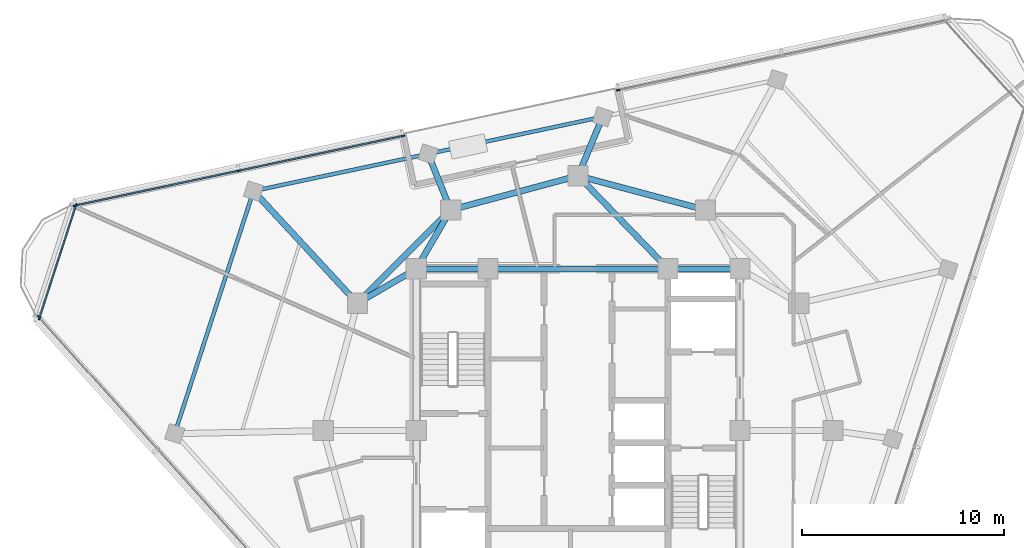
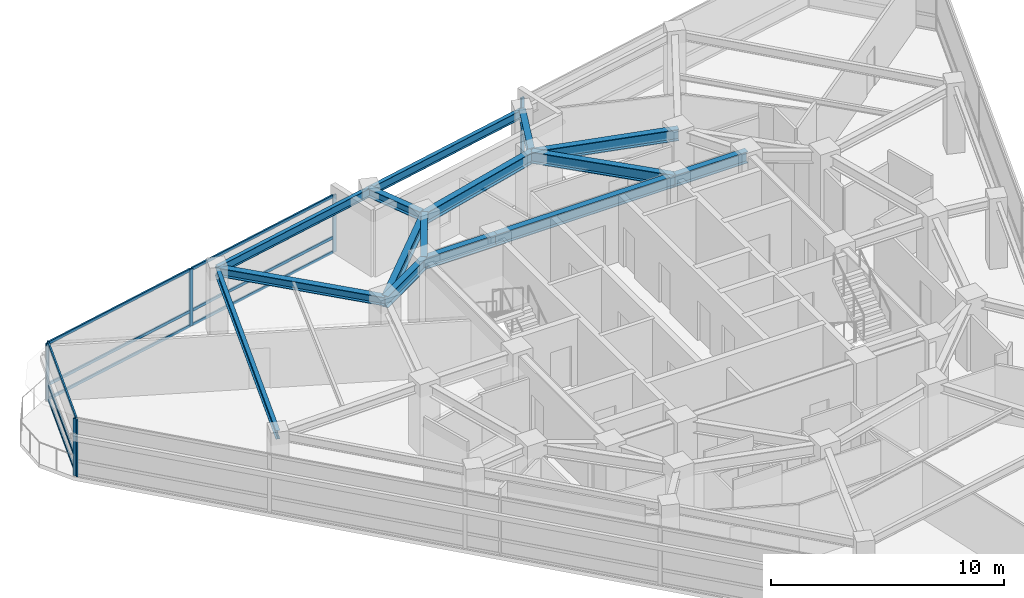
# One storey, part 5 of 15: 16 members, 15 beams, 4 elements without a shape of their own.
"""IFC4 building model written with IfcOpenShell, lengths in metres."""

from ifc_helpers import new_model, si_unit, direction, frame, origin, origin_2d, place, context, subcontext, project, spatial, rectangle, i_section, extrude, material, layer, layer_set, material_profile, profile_set, type_object, element, aggregate, save


model = new_model("IFC4")

# Units and contexts
model_context = context("Model", 3, precision=1e-05, world=origin(), true_north=direction((0.0, 1.0)))
body_context = subcontext(model_context, "Body", "Model", "MODEL_VIEW")
ifc_project = project(units=[si_unit("LENGTHUNIT", "METRE"), si_unit("AREAUNIT", "SQUARE_METRE"), si_unit("VOLUMEUNIT", "CUBIC_METRE"), si_unit("PLANEANGLEUNIT", "RADIAN"), si_unit("MASSUNIT", "GRAM", prefix="KILO")], contexts=[model_context])

# Site, building, storey
site_placement = place(None, origin())
site = spatial("IfcSite", under=ifc_project, at=site_placement, CompositionType="ELEMENT")
building_placement = place(site_placement, origin())
building = spatial("IfcBuilding", under=site, at=building_placement, Name="Terralouvre Media Tower", CompositionType="ELEMENT")
storey_placement = place(building_placement, frame((0.0, 0.0, 290.60009765625)))
storey = spatial("IfcBuildingStorey", under=building, at=storey_placement, Name="L75", CompositionType="ELEMENT", Elevation=290.60009765625)

# Curtain wall, members
ifc_material_1 = material(Name="Low-iron laminated double glazing with solar-control coating", Category="glass")
ifc_layer_1 = layer(ifc_material_1, 0.1650390625, Name="Faceted Glass-Point Crown Curtain Wall CW-06")
ifc_layer_set_1 = layer_set([ifc_layer_1], Name="Low-iron laminated double glazing with solar-control coating")
curtain_wall_type_1 = type_object("IfcCurtainWallType", Name="Faceted Glass-Point Crown Curtain Wall CW-06", PredefinedType="NOTDEFINED", material=ifc_layer_set_1)
curtain_wall_1_placement = place(storey_placement, origin())
curtain_wall_1 = element("IfcCurtainWall", 1, at=curtain_wall_1_placement, inside=storey, type_object=curtain_wall_type_1, Name="L75 Right Flank Curtain Wall F1", PredefinedType="NOTDEFINED")
ifc_material_2 = material(Name="Anodised extruded aluminium 6063-T6", Category="aluminium")
ifc_material_profile_1 = material_profile(ifc_material_2, rectangle(XDim=0.074951171875, YDim=0.14990234375, at=origin_2d()), Name="ALU 75x150")
ifc_profile_set_1 = profile_set([ifc_material_profile_1], Name="Anodised extruded aluminium 6063-T6")
member_type_1 = type_object("IfcMemberType", Name="Curtain-Wall Horizontal Transom TR-150", PredefinedType="USERDEFINED", material=ifc_profile_set_1)
member_1_placement = place(storey_placement, frame((-8.693603515625, 14.567138671875, 0.037353515625), z_axis=(-0.978148883033, -0.207905657984, 0.0), x_axis=(0.207905657984, -0.978148883033, 0.0)))
member_1 = element("IfcMember", 2, at=member_1_placement, type_object=member_type_1, Name="CW-06 transom 1.1", ObjectType="TRANSOM", PredefinedType="USERDEFINED", context=body_context, shape_type="SweptSolid", body=[
    extrude(rectangle(XDim=0.074951171875, YDim=0.14990234375, at=origin_2d()), origin(), (0.0, 0.0, 1.0), 8.217529296875),
])
member_2_placement = place(storey_placement, frame((-8.693603515625, 14.567138671875, 0.7998046875), z_axis=(-0.978148883033, -0.207905657984, 0.0), x_axis=(0.207905657984, -0.978148883033, 0.0)))
member_2 = element("IfcMember", 3, at=member_2_placement, type_object=member_type_1, Name="CW-06 transom 1.2", ObjectType="TRANSOM", PredefinedType="USERDEFINED", context=body_context, shape_type="SweptSolid", body=[
    extrude(rectangle(XDim=0.074951171875, YDim=0.14990234375, at=origin_2d()), origin(), (0.0, 0.0, 1.0), 8.217529296875),
])
member_3_placement = place(storey_placement, frame((-8.693603515625, 14.567138671875, 2.96240234375), z_axis=(-0.978148883033, -0.207905657984, 0.0), x_axis=(0.207905657984, -0.978148883033, 0.0)))
member_3 = element("IfcMember", 4, at=member_3_placement, type_object=member_type_1, Name="CW-06 transom 1.3", ObjectType="TRANSOM", PredefinedType="USERDEFINED", context=body_context, shape_type="SweptSolid", body=[
    extrude(rectangle(XDim=0.074951171875, YDim=0.14990234375, at=origin_2d()), origin(), (0.0, 0.0, 1.0), 8.217529296875),
])
member_4_placement = place(storey_placement, frame((-16.804931640625, 12.843017578125, 0.037353515625), z_axis=(-0.978147598799, -0.207911699918, 0.0), x_axis=(0.207911699918, -0.978147598799, 0.0)))
member_4 = element("IfcMember", 5, at=member_4_placement, type_object=member_type_1, Name="CW-06 transom 2.1", ObjectType="TRANSOM", PredefinedType="USERDEFINED", context=body_context, shape_type="SweptSolid", body=[
    extrude(rectangle(XDim=0.074951171875, YDim=0.14990234375, at=origin_2d()), origin(), (0.0, 0.0, 1.0), 8.217529296875),
])
member_5_placement = place(storey_placement, frame((-16.804931640625, 12.843017578125, 0.7998046875), z_axis=(-0.978147598799, -0.207911699918, 0.0), x_axis=(0.207911699918, -0.978147598799, 0.0)))
member_5 = element("IfcMember", 6, at=member_5_placement, type_object=member_type_1, Name="CW-06 transom 2.2", ObjectType="TRANSOM", PredefinedType="USERDEFINED", context=body_context, shape_type="SweptSolid", body=[
    extrude(rectangle(XDim=0.074951171875, YDim=0.14990234375, at=origin_2d()), origin(), (0.0, 0.0, 1.0), 8.217529296875),
])
member_6_placement = place(storey_placement, frame((-16.804931640625, 12.843017578125, 2.96240234375), z_axis=(-0.978147598799, -0.207911699918, 0.0), x_axis=(0.207911699918, -0.978147598799, 0.0)))
member_6 = element("IfcMember", 7, at=member_6_placement, type_object=member_type_1, Name="CW-06 transom 2.3", ObjectType="TRANSOM", PredefinedType="USERDEFINED", context=body_context, shape_type="SweptSolid", body=[
    extrude(rectangle(XDim=0.074951171875, YDim=0.14990234375, at=origin_2d()), origin(), (0.0, 0.0, 1.0), 8.217529296875),
])

ifc_material_3 = material(Name="Low-iron laminated double glazing with solar-control coating", Category="glass")
ifc_layer_2 = layer(ifc_material_3, 0.1650390625, Name="Rounded Wind-Corner Curved Glazing CW-04")
ifc_layer_set_2 = layer_set([ifc_layer_2], Name="Low-iron laminated double glazing with solar-control coating")
curtain_wall_type_2 = type_object("IfcCurtainWallType", Name="Rounded Wind-Corner Curved Glazing CW-04", PredefinedType="NOTDEFINED", material=ifc_layer_set_2)
curtain_wall_2_placement = place(storey_placement, origin())
curtain_wall_2 = element("IfcCurtainWall", 8, at=curtain_wall_2_placement, inside=storey, type_object=curtain_wall_type_2, Name="L75 Rounded Wind-Corner Curtain Wall C2", PredefinedType="NOTDEFINED")
member_7_placement = place(storey_placement, frame((-24.831298828125, 11.121826171875, 0.037353515625), z_axis=(-0.308980573489, -0.951068349387, 0.0), x_axis=(0.951068349387, -0.308980573489, 0.0)))
member_7 = element("IfcMember", 9, at=member_7_placement, type_object=member_type_1, Name="CW-04 transom 1.1", ObjectType="TRANSOM", PredefinedType="USERDEFINED", context=body_context, shape_type="SweptSolid", body=[
    extrude(rectangle(XDim=0.074951171875, YDim=0.14990234375, at=origin_2d()), origin(), (0.0, 0.0, 1.0), 5.808349609375),
])
member_8_placement = place(storey_placement, frame((-24.831298828125, 11.121826171875, 0.7998046875), z_axis=(-0.308980573489, -0.951068349387, 0.0), x_axis=(0.951068349387, -0.308980573489, 0.0)))
member_8 = element("IfcMember", 10, at=member_8_placement, type_object=member_type_1, Name="CW-04 transom 1.2", ObjectType="TRANSOM", PredefinedType="USERDEFINED", context=body_context, shape_type="SweptSolid", body=[
    extrude(rectangle(XDim=0.074951171875, YDim=0.14990234375, at=origin_2d()), origin(), (0.0, 0.0, 1.0), 5.808349609375),
])
member_9_placement = place(storey_placement, frame((-24.831298828125, 11.121826171875, 2.96240234375), z_axis=(-0.308980573489, -0.951068349387, 0.0), x_axis=(0.951068349387, -0.308980573489, 0.0)))
member_9 = element("IfcMember", 11, at=member_9_placement, type_object=member_type_1, Name="CW-04 transom 1.3", ObjectType="TRANSOM", PredefinedType="USERDEFINED", context=body_context, shape_type="SweptSolid", body=[
    extrude(rectangle(XDim=0.074951171875, YDim=0.14990234375, at=origin_2d()), origin(), (0.0, 0.0, 1.0), 5.808349609375),
])

# Curtain wall, member
curtain_wall_3_placement = place(storey_placement, origin())
curtain_wall_3 = element("IfcCurtainWall", 12, at=curtain_wall_3_placement, inside=storey, type_object=curtain_wall_type_1, Name="L75 Left Flank Curtain Wall F1", PredefinedType="NOTDEFINED")
ifc_material_4 = material(Name="Anodised extruded aluminium 6063-T6", Category="aluminium")
ifc_material_profile_2 = material_profile(ifc_material_4, rectangle(XDim=0.074951171875, YDim=0.179931640625, at=origin_2d()), Name="ALU 75x180")
ifc_profile_set_2 = profile_set([ifc_material_profile_2], Name="Anodised extruded aluminium 6063-T6")
member_type_2 = type_object("IfcMemberType", Name="Curtain-Wall Vertical Mullion ML-180", PredefinedType="MULLION", material=ifc_profile_set_2)
member_10_placement = place(storey_placement, frame((1.98046875, 16.8359375, 0.0), z_axis=(0.0, 0.0, 1.0), x_axis=(0.207911749648, -0.978147588229, 0.0)))
member_10 = element("IfcMember", 13, at=member_10_placement, type_object=member_type_2, Name="CW-06 mullion 3", PredefinedType="MULLION", context=body_context, shape_type="SweptSolid", body=[
    extrude(rectangle(XDim=0.074951171875, YDim=0.179931640625, at=origin_2d()), origin(), (0.0, 0.0, 1.0), 3.0),
])
aggregate(curtain_wall_3, [member_10])

# Member
member_11_placement = place(storey_placement, frame((-8.656982421875, 14.574951171875, 0.0), z_axis=(0.0, 0.0, 1.0), x_axis=(0.20791129743, -0.978147684351, 0.0)))
member_11 = element("IfcMember", 14, at=member_11_placement, type_object=member_type_2, Name="CW-06 mullion 1", PredefinedType="MULLION", context=body_context, shape_type="SweptSolid", body=[
    extrude(rectangle(XDim=0.074951171875, YDim=0.179931640625, at=origin_2d()), origin(), (0.0, 0.0, 1.0), 3.0),
])

member_12_placement = place(storey_placement, frame((-16.768310546875, 12.850830078125, 0.0), z_axis=(0.0, 0.0, 1.0), x_axis=(0.20791129743, -0.978147684351, 0.0)))
member_12 = element("IfcMember", 15, at=member_12_placement, type_object=member_type_2, Name="CW-06 mullion 2", PredefinedType="MULLION", context=body_context, shape_type="SweptSolid", body=[
    extrude(rectangle(XDim=0.074951171875, YDim=0.179931640625, at=origin_2d()), origin(), (0.0, 0.0, 1.0), 3.0),
])

member_13_placement = place(storey_placement, frame((-24.879638671875, 11.126708984375, 0.0), z_axis=(0.0, 0.0, 1.0), x_axis=(0.20791129743, -0.978147684351, 0.0)))
member_13 = element("IfcMember", 16, at=member_13_placement, type_object=member_type_2, Name="CW-06 mullion 3", PredefinedType="MULLION", context=body_context, shape_type="SweptSolid", body=[
    extrude(rectangle(XDim=0.074951171875, YDim=0.179931640625, at=origin_2d()), origin(), (0.0, 0.0, 1.0), 3.0),
])

aggregate(curtain_wall_1, [member_11, member_12, member_13, member_1, member_2, member_3, member_4, member_5, member_6])

# Curtain wall, member
curtain_wall_4_placement = place(storey_placement, origin())
curtain_wall_4 = element("IfcCurtainWall", 17, at=curtain_wall_4_placement, inside=storey, type_object=curtain_wall_type_1, Name="L75 Facade Curtain Wall F2", PredefinedType="NOTDEFINED")
member_14_placement = place(storey_placement, frame((-26.668212890625, 5.6220703125, 0.0), z_axis=(0.0, 0.0, 1.0), x_axis=(0.743144855036, 0.669130573531, 0.0)))
member_14 = element("IfcMember", 18, at=member_14_placement, type_object=member_type_2, Name="CW-06 mullion 1", PredefinedType="MULLION", context=body_context, shape_type="SweptSolid", body=[
    extrude(rectangle(XDim=0.074951171875, YDim=0.179931640625, at=origin_2d()), origin(), (0.0, 0.0, 1.0), 3.0),
])
aggregate(curtain_wall_4, [member_14])

# Member
member_15_placement = place(storey_placement, frame((-24.819580078125, 11.157470703125, 0.0), z_axis=(0.0, 0.0, 1.0), x_axis=(0.951056661679, -0.30901654693, 0.0)))
member_15 = element("IfcMember", 19, at=member_15_placement, type_object=member_type_2, Name="CW-04 mullion 1", PredefinedType="MULLION", context=body_context, shape_type="SweptSolid", body=[
    extrude(rectangle(XDim=0.074951171875, YDim=0.179931640625, at=origin_2d()), origin(), (0.0, 0.0, 1.0), 3.0),
])

member_16_placement = place(storey_placement, frame((-26.6376953125, 5.56201171875, 0.0), z_axis=(0.0, 0.0, 1.0), x_axis=(0.951056661679, -0.30901654693, 0.0)))
member_16 = element("IfcMember", 20, at=member_16_placement, type_object=member_type_2, Name="CW-04 mullion 2", PredefinedType="MULLION", context=body_context, shape_type="SweptSolid", body=[
    extrude(rectangle(XDim=0.074951171875, YDim=0.179931640625, at=origin_2d()), origin(), (0.0, 0.0, 1.0), 3.0),
])

aggregate(curtain_wall_2, [member_15, member_16, member_7, member_8, member_9])

# Beams
ifc_material_5 = material(Name="Structural steel S355J2", Category="steel")
ifc_material_profile_3 = material_profile(ifc_material_5, i_section(OverallWidth=0.18994140625, OverallDepth=0.449951171875, WebThickness=0.009521484375, FlangeThickness=0.0146484375, at=origin_2d()), Name="IPE 450")
ifc_profile_set_3 = profile_set([ifc_material_profile_3], Name="Structural steel S355J2")
beam_type_1 = type_object("IfcBeamType", Name="Perimeter Spandrel Beam SPB-450 (IPE 450)", PredefinedType="SPANDREL", material=ifc_profile_set_3)
for number, where, z_axis, x_axis, name in (
    (21, (1.212158203125, 15.517578125, 3.27490234375), (-0.97814485548, -0.207924605802, 0.0), (0.207924605802, -0.97814485548, 0.0), "L75 Framing Beam BM-L75-PR10"),
    (22, (-7.4189453125, 13.682861328125, 3.27490234375), (-0.97814485548, -0.207924605802, 0.0), (0.207924605802, -0.97814485548, 0.0), "L75 Framing Beam BM-L75-PR11"),
):
    element("IfcBeam", number, at=place(storey_placement, frame(where, z_axis=z_axis, x_axis=x_axis)), inside=storey, type_object=beam_type_1, Name=name, PredefinedType="SPANDREL", context=body_context, shape_type="SweptSolid", body=[
        extrude(i_section(OverallWidth=0.18994140625, OverallDepth=0.449951171875, WebThickness=0.009521484375, FlangeThickness=0.0146484375, at=origin_2d()), origin(), (0.0, 0.0, 1.0), 8.823974609375),
    ])
beam_1_placement = place(storey_placement, frame((-16.050048828125, 11.84814453125, 3.27490234375), z_axis=(-0.309020441102, -0.951055396379, 0.0), x_axis=(0.951055396379, -0.309020441102, 0.0)))
element("IfcBeam", 23, at=beam_1_placement, inside=storey, type_object=beam_type_1, Name="L75 Framing Beam BM-L75-PR12", PredefinedType="SPANDREL", context=body_context, shape_type="SweptSolid", body=[
    extrude(i_section(OverallWidth=0.18994140625, OverallDepth=0.449951171875, WebThickness=0.009521484375, FlangeThickness=0.0146484375, at=origin_2d()), origin(), (0.0, 0.0, 1.0), 12.616943359375),
])
ifc_material_6 = material(Name="Structural steel S355J2", Category="steel")
ifc_material_profile_4 = material_profile(ifc_material_6, i_section(OverallWidth=0.300048828125, OverallDepth=0.449951171875, WebThickness=0.013916015625, FlangeThickness=0.02587890625, at=origin_2d()), Name="HEB 450")
ifc_profile_set_4 = profile_set([ifc_material_profile_4], Name="Structural steel S355J2")
beam_type_2 = type_object("IfcBeamType", Name="Primary Floor Girder B-HEB450 (HEB 450)", PredefinedType="BEAM", material=ifc_profile_set_4)
beam_2_placement = place(storey_placement, frame((0.0, 12.60009765625, 3.27490234375), z_axis=(0.383682372078, 0.923465125143, 0.0), x_axis=(-0.923465125143, 0.383682372078, 0.0)))
element("IfcBeam", 24, at=beam_2_placement, inside=storey, type_object=beam_type_2, Name="L75 Framing Beam BM-L75-RD10", PredefinedType="BEAM", context=body_context, shape_type="SweptSolid", body=[
    extrude(i_section(OverallWidth=0.300048828125, OverallDepth=0.449951171875, WebThickness=0.013916015625, FlangeThickness=0.02587890625, at=origin_2d()), origin(), (0.0, 0.0, 1.0), 3.1591796875),
])
beam_3_placement = place(storey_placement, frame((-6.300048828125, 10.911865234375, 3.27490234375), z_axis=(-0.374417122208, 0.927260383386, 0.0), x_axis=(-0.927260383386, -0.374417122208, 0.0)))
element("IfcBeam", 25, at=beam_3_placement, inside=storey, type_object=beam_type_2, Name="L75 Framing Beam BM-L75-RD11", PredefinedType="BEAM", context=body_context, shape_type="SweptSolid", body=[
    extrude(i_section(OverallWidth=0.300048828125, OverallDepth=0.449951171875, WebThickness=0.013916015625, FlangeThickness=0.02587890625, at=origin_2d()), origin(), (0.0, 0.0, 1.0), 2.98828125),
])
beam_4_placement = place(storey_placement, frame((-10.911865234375, 6.300048828125, 3.27490234375), z_axis=(-0.679483353105, 0.733690924609, 0.0), x_axis=(-0.733690924609, -0.679483353105, 0.0)))
element("IfcBeam", 26, at=beam_4_placement, inside=storey, type_object=beam_type_2, Name="L75 Framing Beam BM-L75-RD12", PredefinedType="BEAM", context=body_context, shape_type="SweptSolid", body=[
    extrude(i_section(OverallWidth=0.300048828125, OverallDepth=0.449951171875, WebThickness=0.013916015625, FlangeThickness=0.02587890625, at=origin_2d()), origin(), (0.0, 0.0, 1.0), 7.56201171875),
])
ifc_material_7 = material(Name="Structural steel S460M", Category="steel")
ifc_material_profile_5 = material_profile(ifc_material_7, i_section(OverallWidth=0.300048828125, OverallDepth=0.60009765625, WebThickness=0.015380859375, FlangeThickness=0.030029296875, at=origin_2d()), Name="HEB 600")
ifc_profile_set_5 = profile_set([ifc_material_profile_5], Name="Structural steel S460M")
beam_type_3 = type_object("IfcBeamType", Name="Primary Floor Girder B-HEB600 (HEB 600)", PredefinedType="BEAM", material=ifc_profile_set_5)
beam_5_placement = place(storey_placement, frame((8.0, 8.0, 3.199951171875), z_axis=(-1.0, 0.0, 0.0), x_axis=(0.0, -1.0, 0.0)))
element("IfcBeam", 27, at=beam_5_placement, inside=storey, type_object=beam_type_3, Name="L75 Framing Beam BM-L75-CPR06", PredefinedType="BEAM", context=body_context, shape_type="SweptSolid", body=[
    extrude(i_section(OverallWidth=0.300048828125, OverallDepth=0.60009765625, WebThickness=0.015380859375, FlangeThickness=0.030029296875, at=origin_2d()), origin(), (0.0, 0.0, 1.0), 3.550048828125),
])
beam_6_placement = place(storey_placement, frame((4.449951171875, 8.0, 3.199951171875), z_axis=(-1.0, 0.0, 0.0), x_axis=(0.0, -1.0, 0.0)))
element("IfcBeam", 28, at=beam_6_placement, inside=storey, type_object=beam_type_3, Name="L75 Framing Beam BM-L75-CPR07", PredefinedType="BEAM", context=body_context, shape_type="SweptSolid", body=[
    extrude(i_section(OverallWidth=0.300048828125, OverallDepth=0.60009765625, WebThickness=0.015380859375, FlangeThickness=0.030029296875, at=origin_2d()), origin(), (0.0, 0.0, 1.0), 8.89990234375),
])
beam_7_placement = place(storey_placement, frame((-4.449951171875, 8.0, 3.199951171875), z_axis=(-1.0, 0.0, 0.0), x_axis=(0.0, -1.0, 0.0)))
element("IfcBeam", 29, at=beam_7_placement, inside=storey, type_object=beam_type_3, Name="L75 Framing Beam BM-L75-CPR08", PredefinedType="BEAM", context=body_context, shape_type="SweptSolid", body=[
    extrude(i_section(OverallWidth=0.300048828125, OverallDepth=0.60009765625, WebThickness=0.015380859375, FlangeThickness=0.030029296875, at=origin_2d()), origin(), (0.0, 0.0, 1.0), 3.550048828125),
])
for number, where, z_axis, x_axis, name in (
    (30, (6.300048828125, 10.911865234375, 3.199951171875), (-0.965920481897, 0.258838989821, 0.0), (-0.258838989821, -0.965920481897, 0.0), "L75 Framing Beam BM-L75-MR08"),
    (31, (0.0, 12.60009765625, 3.199951171875), (-0.965920481897, -0.258838989821, 0.0), (0.258838989821, -0.965920481897, 0.0), "L75 Framing Beam BM-L75-MR09"),
):
    element("IfcBeam", number, at=place(storey_placement, frame(where, z_axis=z_axis, x_axis=x_axis)), inside=storey, type_object=beam_type_3, Name=name, PredefinedType="BEAM", context=body_context, shape_type="SweptSolid", body=[
        extrude(i_section(OverallWidth=0.300048828125, OverallDepth=0.60009765625, WebThickness=0.015380859375, FlangeThickness=0.030029296875, at=origin_2d()), origin(), (0.0, 0.0, 1.0), 6.522216796875),
    ])
beam_8_placement = place(storey_placement, frame((-6.300048828125, 10.911865234375, 3.199951171875), z_axis=(-0.707106781187, -0.707106781187, 0.0), x_axis=(0.707106781187, -0.707106781187, 0.0)))
element("IfcBeam", 32, at=beam_8_placement, inside=storey, type_object=beam_type_3, Name="L75 Framing Beam BM-L75-MR10", PredefinedType="BEAM", context=body_context, shape_type="SweptSolid", body=[
    extrude(i_section(OverallWidth=0.300048828125, OverallDepth=0.60009765625, WebThickness=0.015380859375, FlangeThickness=0.030029296875, at=origin_2d()), origin(), (0.0, 0.0, 1.0), 6.52197265625),
])
beam_9_placement = place(storey_placement, frame((4.449951171875, 8.0, 3.199951171875), z_axis=(-0.695279715726, 0.718739255155, 0.0), x_axis=(-0.718739255155, -0.695279715726, 0.0)))
element("IfcBeam", 33, at=beam_9_placement, inside=storey, type_object=beam_type_3, Name="L75 Framing Beam BM-L75-CM09", PredefinedType="BEAM", context=body_context, shape_type="SweptSolid", body=[
    extrude(i_section(OverallWidth=0.300048828125, OverallDepth=0.60009765625, WebThickness=0.015380859375, FlangeThickness=0.030029296875, at=origin_2d()), origin(), (0.0, 0.0, 1.0), 6.400146484375),
])
for number, where, z_axis, x_axis, name in (
    (34, (-8.0, 8.0, 3.199951171875), (0.504172629717, 0.863602894532, 0.0), (-0.863602894532, 0.504172629717, 0.0), "L75 Framing Beam BM-L75-CM10"),
    (35, (-8.0, 8.0, 3.199951171875), (-0.863602894532, -0.504172629717, 0.0), (0.504172629717, -0.863602894532, 0.0), "L75 Framing Beam BM-L75-CM11"),
):
    element("IfcBeam", number, at=place(storey_placement, frame(where, z_axis=z_axis, x_axis=x_axis)), inside=storey, type_object=beam_type_3, Name=name, PredefinedType="BEAM", context=body_context, shape_type="SweptSolid", body=[
        extrude(i_section(OverallWidth=0.300048828125, OverallDepth=0.60009765625, WebThickness=0.015380859375, FlangeThickness=0.030029296875, at=origin_2d()), origin(), (0.0, 0.0, 1.0), 3.371826171875),
    ])

save(model, "model.ifc")
